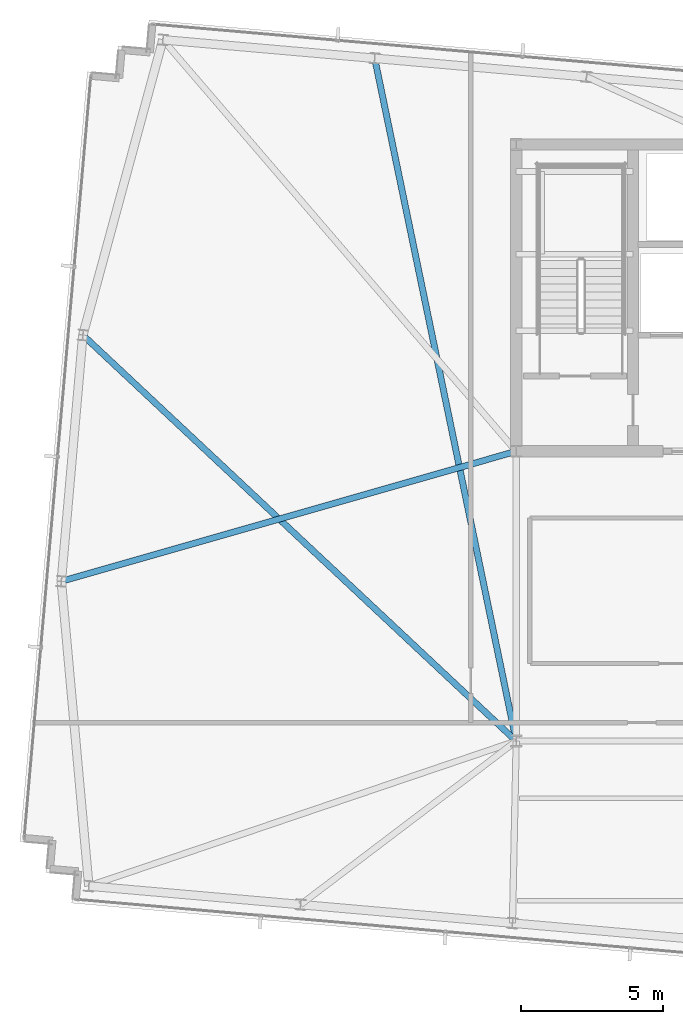
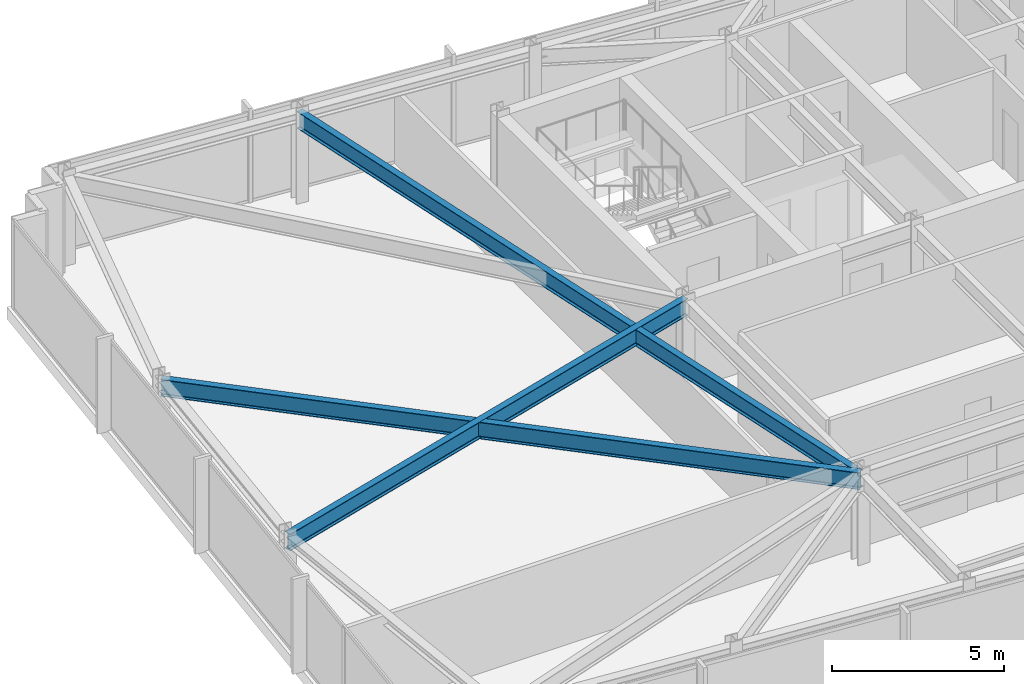
# One storey, part 10 of 32: 3 beams.
"""IFC4 building model written with IfcOpenShell, lengths in metres."""

from ifc_helpers import new_model, si_unit, direction, frame, origin, origin_2d, place, context, subcontext, project, spatial, i_section, extrude, material, material_profile, profile_set, type_object, element, save


model = new_model("IFC4")

# Units and contexts
model_context = context("Model", 3, precision=1e-05, world=origin(), true_north=direction((0.0, 1.0)))
body_context = subcontext(model_context, "Body", "Model", "MODEL_VIEW")
ifc_project = project(units=[si_unit("LENGTHUNIT", "METRE"), si_unit("AREAUNIT", "SQUARE_METRE"), si_unit("VOLUMEUNIT", "CUBIC_METRE"), si_unit("PLANEANGLEUNIT", "RADIAN"), si_unit("MASSUNIT", "GRAM", prefix="KILO")], contexts=[model_context])

# Site, building, storey
site_placement = place(None, origin())
site = spatial("IfcSite", under=ifc_project, at=site_placement, CompositionType="ELEMENT")
building_placement = place(site_placement, origin())
building = spatial("IfcBuilding", under=site, at=building_placement, Name="Yelkora Congress Tower", CompositionType="ELEMENT")
storey_placement = place(building_placement, frame((0.0, 0.0, 259.10009765625)))
storey = spatial("IfcBuildingStorey", under=building, at=storey_placement, Name="L72", CompositionType="ELEMENT", Elevation=259.10009765625)

# Beams
ifc_material = material(Name="Steel S355J2", Category="steel")
ifc_material_profile = material_profile(ifc_material, i_section(OverallWidth=0.219970703125, OverallDepth=0.60009765625, WebThickness=0.011962890625, FlangeThickness=0.01904296875, FilletRadius=0.02392578125, at=origin_2d()), Name="IPE 600")
ifc_profile_set = profile_set([ifc_material_profile], Name="Steel S355J2")
beam_type = type_object("IfcBeamType", Name="BM-GIRD-IPE600", PredefinedType="BEAM", material=ifc_profile_set)
beam_1_placement = place(storey_placement, frame((18.058837890625, 49.231689453125, 2.8798828125), z_axis=(0.202961834344, -0.979186649112, 0.0), x_axis=(0.979186649112, 0.202961834344, 0.0)))
element("IfcBeam", 1, at=beam_1_placement, inside=storey, type_object=beam_type, Name="L72 Primary Frame Girder N02", PredefinedType="BEAM", context=body_context, shape_type="SweptSolid", body=[
    extrude(i_section(OverallWidth=0.219970703125, OverallDepth=0.60009765625, WebThickness=0.011962890625, FlangeThickness=0.01904296875, FilletRadius=0.02392578125, at=origin_2d()), origin(), (0.0, 0.0, 1.0), 24.54248046875),
])
beam_2_placement = place(storey_placement, frame((7.029052734375, 30.822998046875, 2.8798828125), z_axis=(0.961486871307, 0.274850861932, 0.0), x_axis=(-0.274850861932, 0.961486871307, 0.0)))
element("IfcBeam", 2, at=beam_2_placement, inside=storey, type_object=beam_type, Name="L72 Primary Frame Girder W01", PredefinedType="BEAM", context=body_context, shape_type="SweptSolid", body=[
    extrude(i_section(OverallWidth=0.219970703125, OverallDepth=0.60009765625, WebThickness=0.011962890625, FlangeThickness=0.01904296875, FilletRadius=0.02392578125, at=origin_2d()), origin(), (0.0, 0.0, 1.0), 16.65234375),
])
beam_3_placement = place(storey_placement, frame((7.787353515625, 39.489990234375, 2.8798828125), z_axis=(0.729760461145, -0.683702910152, 0.0), x_axis=(0.683702910152, 0.729760461145, 0.0)))
element("IfcBeam", 3, at=beam_3_placement, inside=storey, type_object=beam_type, Name="L72 Primary Frame Girder W02", PredefinedType="BEAM", context=body_context, shape_type="SweptSolid", body=[
    extrude(i_section(OverallWidth=0.219970703125, OverallDepth=0.60009765625, WebThickness=0.011962890625, FlangeThickness=0.01904296875, FilletRadius=0.02392578125, at=origin_2d()), origin(), (0.0, 0.0, 1.0), 20.90087890625),
])

save(model, "model.ifc")
